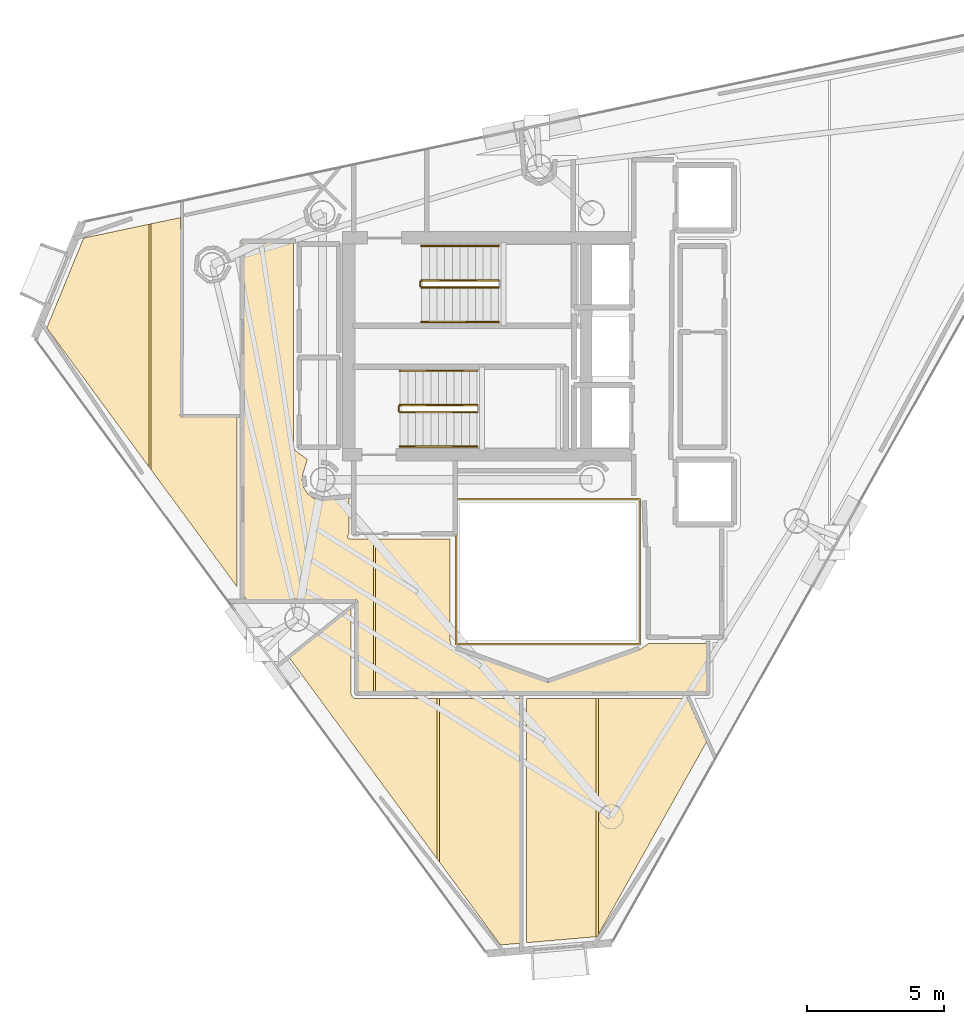
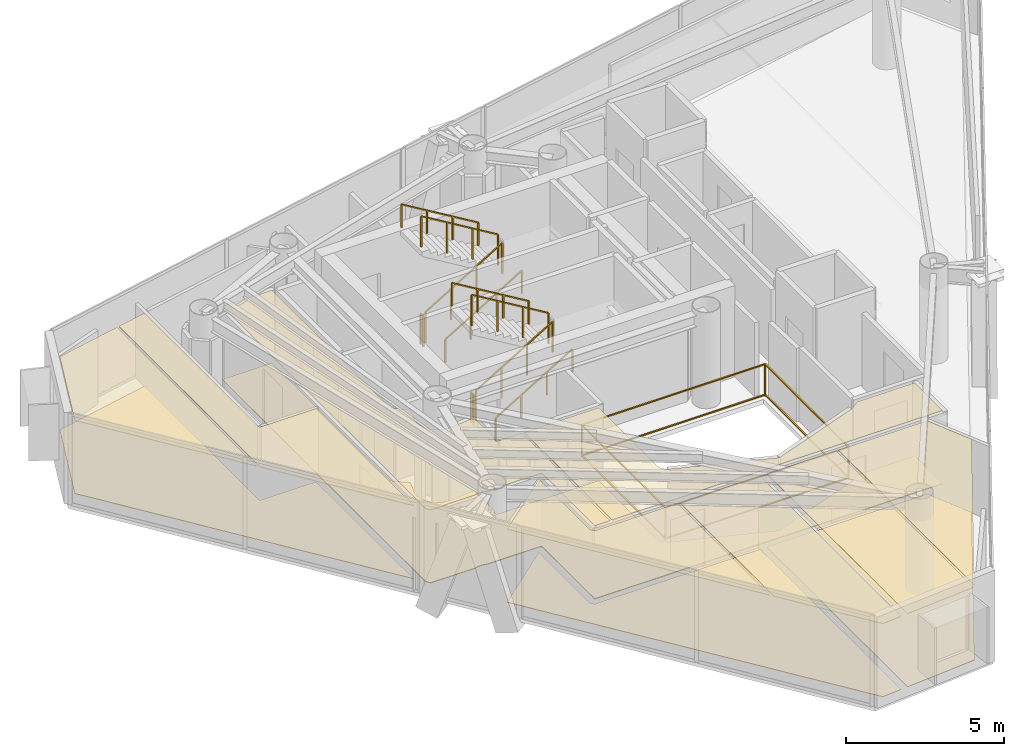
# One storey, part 20 of 21: 12 coverings, 11 railings.
"""IFC4 building model written with IfcOpenShell, lengths in metres."""

from ifc_helpers import new_model, si_unit, direction, frame, origin, origin_2d, place, context, subcontext, project, spatial, polyline, rectangle, outline, extrude, material, layer, layer_set, type_object, element, save


model = new_model("IFC4")

# Units and contexts
model_context = context("Model", 3, precision=1e-05, world=origin(), true_north=direction((0.0, 1.0)))
body_context = subcontext(model_context, "Body", "Model", "MODEL_VIEW")
ifc_project = project(units=[si_unit("LENGTHUNIT", "METRE"), si_unit("AREAUNIT", "SQUARE_METRE"), si_unit("VOLUMEUNIT", "CUBIC_METRE"), si_unit("PLANEANGLEUNIT", "RADIAN"), si_unit("MASSUNIT", "GRAM", prefix="KILO")], contexts=[model_context])

# Site, building, storey
site_placement = place(None, origin())
site = spatial("IfcSite", under=ifc_project, at=site_placement, CompositionType="ELEMENT")
building_placement = place(site_placement, origin())
building = spatial("IfcBuilding", under=site, at=building_placement, Name="Qianvela Tower", CompositionType="ELEMENT")
storey_placement = place(building_placement, frame((0.0, 0.0, 302.800048828125)))
storey = spatial("IfcBuildingStorey", under=building, at=storey_placement, Name="L78", CompositionType="ELEMENT", Elevation=302.800048828125)

# Coverings
ifc_material_1 = material(Name="Perforated Mineral Acoustic Ceiling Tile")
ifc_layer_1 = layer(ifc_material_1, 0.02490234375)
ifc_layer_set_1 = layer_set([ifc_layer_1], Name="Perforated Mineral Acoustic Ceiling Tile")
covering_type_1 = type_object("IfcCoveringType", Name="COV-CEIL-ACOUSTIC-25", PredefinedType="CEILING", material=ifc_layer_set_1)
covering_1_placement = place(storey_placement, frame((0.0, 0.0, 2.81494140625)))
element("IfcCovering", 1, at=covering_1_placement, inside=storey, type_object=covering_type_1, Name="L78 Acoustic Ceiling Bay 1 L78 Floor Corridor", PredefinedType="CEILING", context=body_context, shape_type="SweptSolid", body=[
    extrude(outline(polyline([(27.5400390625, 32.469970703125), (27.5400390625, 25.04638671875), (27.540283203125, 25.038818359375), (27.54150390625, 25.03125), (27.543212890625, 25.023681640625), (27.545654296875, 25.0166015625), (27.548828125, 25.009765625), (27.552734375, 25.003173828125), (27.61328125, 24.90869140625), (27.61767578125, 24.90283203125), (27.622314453125, 24.8974609375), (27.62744140625, 24.892333984375), (27.633056640625, 24.8876953125), (28.042236328125, 24.584228515625), (27.8662109375, 24.00390625), (27.864501953125, 23.996337890625), (27.86328125, 23.988525390625), (27.850341796875, 23.85791015625), (27.85009765625, 23.85009765625), (27.850341796875, 23.84228515625), (27.8515625, 23.83447265625), (27.902587890625, 23.577880859375), (27.904296875, 23.5703125), (27.906982421875, 23.56298828125), (27.910400390625, 23.555908203125), (27.91455078125, 23.54931640625), (28.059814453125, 23.331787109375), (28.064453125, 23.325439453125), (28.069580078125, 23.319580078125), (28.075439453125, 23.314453125), (28.081787109375, 23.309814453125), (28.29931640625, 23.16455078125), (28.305908203125, 23.160400390625), (28.31298828125, 23.156982421875), (28.3203125, 23.154296875), (28.327880859375, 23.152587890625), (28.58447265625, 23.1015625), (28.59228515625, 23.100341796875), (28.60009765625, 23.10009765625), (28.60791015625, 23.100341796875), (29.55810546875, 23.194091796875), (29.55810546875, 21.877685546875), (29.52001953125, 21.82958984375), (29.515380859375, 21.822998046875), (29.51171875, 21.81640625), (29.508544921875, 21.809326171875), (29.506103515625, 21.802001953125), (29.504150390625, 21.794189453125), (29.503173828125, 21.78662109375), (29.5029296875, 21.77880859375), (29.50341796875, 21.77099609375), (29.504638671875, 21.763427734375), (29.506591796875, 21.755859375), (29.50927734375, 21.74853515625), (29.5126953125, 21.74169921875), (29.516845703125, 21.735107421875), (29.521484375, 21.728759765625), (29.52685546875, 21.722900390625), (29.53271484375, 21.7177734375), (29.538818359375, 21.713134765625), (29.54541015625, 21.709228515625), (29.552490234375, 21.7060546875), (29.559814453125, 21.703369140625), (29.5673828125, 21.701416015625), (29.5751953125, 21.700439453125), (29.5830078125, 21.699951171875), (30.44384765625, 21.699951171875), (30.44384765625, 16.1298828125), (29.8798828125, 16.1298828125), (29.8798828125, 19.39990234375), (29.879638671875, 19.40771484375), (29.87841796875, 19.41552734375), (29.876708984375, 19.423095703125), (29.873779296875, 19.4306640625), (29.87060546875, 19.437744140625), (29.866455078125, 19.4443359375), (29.86181640625, 19.45068359375), (29.856689453125, 19.45654296875), (29.850830078125, 19.4619140625), (29.844482421875, 19.466552734375), (29.837646484375, 19.470703125), (29.83056640625, 19.473876953125), (29.8232421875, 19.4765625), (29.815673828125, 19.478515625), (29.807861328125, 19.4794921875), (29.800048828125, 19.47998046875), (27.910888671875, 19.47998046875), (27.684814453125, 19.522705078125), (27.677490234375, 19.523681640625), (27.669921875, 19.52392578125), (27.66259765625, 19.523681640625), (27.6552734375, 19.522705078125), (27.42919921875, 19.47998046875), (25.83740234375, 19.47998046875), (25.72998046875, 19.6259765625), (25.72998046875, 32.469970703125), (27.5400390625, 32.469970703125)])), origin(), (0.0, 0.0, 1.0), 0.02490234375),
])
covering_2_placement = place(storey_placement, frame((0.0, 0.0, 2.81494140625)))
element("IfcCovering", 2, at=covering_2_placement, inside=storey, type_object=covering_type_1, Name="L78 Acoustic Ceiling Bay 2 L78 Floor Corridor", PredefinedType="CEILING", context=body_context, shape_type="SweptSolid", body=[
    extrude(outline(polyline([(33.239990234375, 21.699951171875), (33.239990234375, 18.0), (33.240478515625, 17.990234375), (33.242431640625, 17.980712890625), (33.275390625, 17.8486328125), (33.277587890625, 17.841796875), (33.2802734375, 17.8349609375), (33.283447265625, 17.82861328125), (33.287353515625, 17.822509765625), (33.29150390625, 17.81689453125), (33.29638671875, 17.811279296875), (33.411376953125, 17.696533203125), (33.41796875, 17.690673828125), (33.42529296875, 17.685546875), (33.432861328125, 17.68115234375), (33.44091796875, 17.677734375), (36.77294921875, 16.482666015625), (36.780517578125, 16.48046875), (36.7880859375, 16.47900390625), (36.7958984375, 16.47802734375), (36.803955078125, 16.47802734375), (36.811767578125, 16.47900390625), (36.8193359375, 16.48046875), (36.826904296875, 16.482666015625), (40.134033203125, 17.666015625), (40.140869140625, 17.668701171875), (40.1474609375, 17.672119140625), (40.153564453125, 17.676025390625), (40.458740234375, 17.89306640625), (42.570068359375, 17.899658203125), (42.570068359375, 16.1298828125), (30.523681640625, 16.1298828125), (30.523681640625, 21.699951171875), (33.239990234375, 21.699951171875)])), origin(), (0.0, 0.0, 1.0), 0.02490234375),
])
covering_3_placement = place(storey_placement, frame((0.0, 0.0, 2.81494140625)))
element("IfcCovering", 3, at=covering_3_placement, inside=storey, type_object=covering_type_1, Name="L78 Acoustic Ceiling Bay 1 Debate Lecture Classroom L78-01", PredefinedType="CEILING", context=body_context, shape_type="SweptSolid", body=[
    extrude(outline(polyline([(18.567626953125, 29.369140625), (19.908203125, 32.638916015625), (22.27978515625, 33.140380859375), (22.27978515625, 24.3193359375), (18.567626953125, 29.369140625)])), origin(), (0.0, 0.0, 1.0), 0.02490234375),
])
covering_4_placement = place(storey_placement, frame((0.0, 0.0, 2.81494140625)))
element("IfcCovering", 4, at=covering_4_placement, inside=storey, type_object=covering_type_1, Name="L78 Acoustic Ceiling Bay 2 Debate Lecture Classroom L78-01", PredefinedType="CEILING", context=body_context, shape_type="SweptSolid", body=[
    extrude(outline(polyline([(23.419189453125, 26.2197265625), (23.41748046875, 26.2119140625), (23.4169921875, 26.20361328125), (23.4169921875, 26.19580078125), (23.417724609375, 26.187744140625), (23.41943359375, 26.1796875), (23.422119140625, 26.172119140625), (23.42529296875, 26.164794921875), (23.42919921875, 26.15771484375), (23.433837890625, 26.151123046875), (23.439208984375, 26.14501953125), (23.44482421875, 26.139404296875), (23.451416015625, 26.134521484375), (23.458251953125, 26.13037109375), (23.46533203125, 26.126708984375), (23.472900390625, 26.1240234375), (23.480712890625, 26.1220703125), (23.48876953125, 26.120849609375), (23.496826171875, 26.120361328125), (25.489990234375, 26.120361328125), (25.489990234375, 19.952392578125), (22.35986328125, 24.21044921875), (22.35986328125, 33.1572265625), (23.43408203125, 33.384521484375), (23.437744140625, 26.294189453125), (23.419189453125, 26.2197265625)])), origin(), (0.0, 0.0, 1.0), 0.02490234375),
])
covering_5_placement = place(storey_placement, frame((0.0, 0.0, 2.81494140625)))
element("IfcCovering", 5, at=covering_5_placement, inside=storey, type_object=covering_type_1, Name="L78 Acoustic Ceiling Bay 1 Graduate Seminar Classroom L78-02", PredefinedType="CEILING", context=body_context, shape_type="SweptSolid", body=[
    extrude(outline(polyline([(29.639892578125, 19.239990234375), (29.639892578125, 16.050048828125), (29.640380859375, 16.042236328125), (29.6416015625, 16.034423828125), (29.643310546875, 16.02685546875), (29.64599609375, 16.019287109375), (29.6494140625, 16.01220703125), (29.653564453125, 16.005615234375), (29.702880859375, 15.931640625), (29.70751953125, 15.92529296875), (29.712890625, 15.91943359375), (29.718505859375, 15.914306640625), (29.724853515625, 15.90966796875), (29.731689453125, 15.905517578125), (29.73876953125, 15.902099609375), (29.74609375, 15.8994140625), (29.753662109375, 15.897705078125), (29.761474609375, 15.896484375), (29.769287109375, 15.89599609375), (32.763671875, 15.89453125), (32.763671875, 10.057861328125), (27.394775390625, 17.361328125), (29.633544921875, 19.239990234375), (29.639892578125, 19.239990234375)])), origin(), (0.0, 0.0, 1.0), 0.02490234375),
])
covering_6_placement = place(storey_placement, frame((0.0, 0.0, 2.81494140625)))
element("IfcCovering", 6, at=covering_6_placement, inside=storey, type_object=covering_type_1, Name="L78 Acoustic Ceiling Bay 2 Graduate Seminar Classroom L78-02", PredefinedType="CEILING", context=body_context, shape_type="SweptSolid", body=[
    extrude(outline(polyline([(35.7724609375, 15.89306640625), (35.7724609375, 6.985595703125), (35.06689453125, 6.9248046875), (32.843505859375, 9.948974609375), (32.843505859375, 15.89453125), (35.7724609375, 15.89306640625)])), origin(), (0.0, 0.0, 1.0), 0.02490234375),
])
covering_7_placement = place(storey_placement, frame((0.0, 0.0, 2.81494140625)))
element("IfcCovering", 7, at=covering_7_placement, inside=storey, type_object=covering_type_1, Name="L78 Acoustic Ceiling Bay 1 Tutorial Breakout Seminar L78-03", PredefinedType="CEILING", context=body_context, shape_type="SweptSolid", body=[
    extrude(outline(polyline([(36.016357421875, 7.006591796875), (36.016357421875, 15.89306640625), (38.5478515625, 15.8916015625), (38.5478515625, 7.22509765625), (36.016357421875, 7.006591796875)])), origin(), (0.0, 0.0, 1.0), 0.02490234375),
])
covering_8_placement = place(storey_placement, frame((0.0, 0.0, 2.81494140625)))
element("IfcCovering", 8, at=covering_8_placement, inside=storey, type_object=covering_type_1, Name="L78 Acoustic Ceiling Bay 2 Tutorial Breakout Seminar L78-03", PredefinedType="CEILING", context=body_context, shape_type="SweptSolid", body=[
    extrude(outline(polyline([(38.627685546875, 7.300048828125), (38.627685546875, 15.8916015625), (41.86767578125, 15.889892578125), (42.56884765625, 14.315185546875), (38.627685546875, 7.300048828125)])), origin(), (0.0, 0.0, 1.0), 0.02490234375),
])
ifc_material_2 = material(Name="Engineered Acoustic Oak Timber Flooring", Category="wood")
ifc_layer_2 = layer(ifc_material_2, 0.02001953125)
ifc_layer_set_2 = layer_set([ifc_layer_2], Name="Engineered Acoustic Oak Timber Flooring")
covering_type_2 = type_object("IfcCoveringType", Name="COV-FLOOR-OAK-20", PredefinedType="FLOORING", material=ifc_layer_set_2)
covering_9_placement = place(storey_placement, origin())
element("IfcCovering", 9, at=covering_9_placement, inside=storey, type_object=covering_type_2, Name="L78 Finish Flooring Debate Lecture Classroom L78-01", PredefinedType="FLOORING", context=body_context, shape_type="SweptSolid", body=[
    extrude(outline(polyline([(23.437744140625, 26.294189453125), (23.419189453125, 26.2197265625), (23.41748046875, 26.2119140625), (23.4169921875, 26.20361328125), (23.4169921875, 26.19580078125), (23.417724609375, 26.187744140625), (23.41943359375, 26.1796875), (23.422119140625, 26.172119140625), (23.42529296875, 26.164794921875), (23.42919921875, 26.15771484375), (23.433837890625, 26.151123046875), (23.439208984375, 26.14501953125), (23.44482421875, 26.139404296875), (23.451416015625, 26.134521484375), (23.458251953125, 26.13037109375), (23.46533203125, 26.126708984375), (23.472900390625, 26.1240234375), (23.480712890625, 26.1220703125), (23.48876953125, 26.120849609375), (23.496826171875, 26.120361328125), (25.489990234375, 26.120361328125), (25.489990234375, 19.952392578125), (18.567626953125, 29.369140625), (19.908203125, 32.638916015625), (23.43408203125, 33.384521484375), (23.437744140625, 26.294189453125)])), origin(), (0.0, 0.0, 1.0), 0.02001953125),
])
covering_10_placement = place(storey_placement, origin())
element("IfcCovering", 10, at=covering_10_placement, inside=storey, type_object=covering_type_2, Name="L78 Finish Flooring Graduate Seminar Classroom L78-02", PredefinedType="FLOORING", context=body_context, shape_type="SweptSolid", body=[
    extrude(outline(polyline([(29.633544921875, 19.239990234375), (29.639892578125, 19.239990234375), (29.639892578125, 16.050048828125), (29.640380859375, 16.042236328125), (29.6416015625, 16.034423828125), (29.643310546875, 16.02685546875), (29.64599609375, 16.019287109375), (29.6494140625, 16.01220703125), (29.653564453125, 16.005615234375), (29.702880859375, 15.931640625), (29.70751953125, 15.92529296875), (29.712890625, 15.91943359375), (29.718505859375, 15.914306640625), (29.724853515625, 15.90966796875), (29.731689453125, 15.905517578125), (29.73876953125, 15.902099609375), (29.74609375, 15.8994140625), (29.753662109375, 15.897705078125), (29.761474609375, 15.896484375), (29.769287109375, 15.89599609375), (35.7724609375, 15.89306640625), (35.7724609375, 6.985595703125), (35.06689453125, 6.9248046875), (27.394775390625, 17.361328125), (29.633544921875, 19.239990234375)])), origin(), (0.0, 0.0, 1.0), 0.02001953125),
])
covering_11_placement = place(storey_placement, origin())
element("IfcCovering", 11, at=covering_11_placement, inside=storey, type_object=covering_type_2, Name="L78 Finish Flooring Tutorial Breakout Seminar L78-03", PredefinedType="FLOORING", context=body_context, shape_type="SweptSolid", body=[
    extrude(outline(polyline([(42.56884765625, 14.315185546875), (38.587646484375, 7.228515625), (36.016357421875, 7.006591796875), (36.016357421875, 15.89306640625), (41.86767578125, 15.889892578125), (42.56884765625, 14.315185546875)])), origin(), (0.0, 0.0, 1.0), 0.02001953125),
])
ifc_material_3 = material(Name="Honed Stone Terrazzo Flooring", Category="masonry")
ifc_layer_3 = layer(ifc_material_3, 0.030029296875)
ifc_layer_set_3 = layer_set([ifc_layer_3], Name="Honed Stone Terrazzo Flooring")
covering_type_3 = type_object("IfcCoveringType", Name="COV-FLOOR-TERRAZZO-30", PredefinedType="FLOORING", material=ifc_layer_set_3)
covering_12_placement = place(storey_placement, origin())
element("IfcCovering", 12, at=covering_12_placement, inside=storey, type_object=covering_type_3, Name="L78 Finish Flooring L78 Floor Corridor", PredefinedType="FLOORING", context=body_context, shape_type="SweptSolid", body=[
    extrude(outline(polyline([(25.72998046875, 32.469970703125), (27.5400390625, 32.469970703125), (27.5400390625, 25.04638671875), (27.540283203125, 25.038818359375), (27.54150390625, 25.03125), (27.543212890625, 25.023681640625), (27.545654296875, 25.0166015625), (27.548828125, 25.009765625), (27.552734375, 25.003173828125), (27.61328125, 24.90869140625), (27.61767578125, 24.90283203125), (27.622314453125, 24.8974609375), (27.62744140625, 24.892333984375), (27.633056640625, 24.8876953125), (28.042236328125, 24.584228515625), (27.8662109375, 24.00390625), (27.864501953125, 23.996337890625), (27.86328125, 23.988525390625), (27.850341796875, 23.85791015625), (27.85009765625, 23.85009765625), (27.850341796875, 23.84228515625), (27.8515625, 23.83447265625), (27.902587890625, 23.577880859375), (27.904296875, 23.5703125), (27.906982421875, 23.56298828125), (27.910400390625, 23.555908203125), (27.91455078125, 23.54931640625), (28.059814453125, 23.331787109375), (28.064453125, 23.325439453125), (28.069580078125, 23.319580078125), (28.075439453125, 23.314453125), (28.081787109375, 23.309814453125), (28.29931640625, 23.16455078125), (28.305908203125, 23.160400390625), (28.31298828125, 23.156982421875), (28.3203125, 23.154296875), (28.327880859375, 23.152587890625), (28.58447265625, 23.1015625), (28.59228515625, 23.100341796875), (28.60009765625, 23.10009765625), (28.60791015625, 23.100341796875), (29.55810546875, 23.194091796875), (29.55810546875, 21.877685546875), (29.52001953125, 21.82958984375), (29.515380859375, 21.822998046875), (29.51171875, 21.81640625), (29.508544921875, 21.809326171875), (29.506103515625, 21.802001953125), (29.504150390625, 21.794189453125), (29.503173828125, 21.78662109375), (29.5029296875, 21.77880859375), (29.50341796875, 21.77099609375), (29.504638671875, 21.763427734375), (29.506591796875, 21.755859375), (29.50927734375, 21.74853515625), (29.5126953125, 21.74169921875), (29.516845703125, 21.735107421875), (29.521484375, 21.728759765625), (29.52685546875, 21.722900390625), (29.53271484375, 21.7177734375), (29.538818359375, 21.713134765625), (29.54541015625, 21.709228515625), (29.552490234375, 21.7060546875), (29.559814453125, 21.703369140625), (29.5673828125, 21.701416015625), (29.5751953125, 21.700439453125), (29.5830078125, 21.699951171875), (33.239990234375, 21.699951171875), (33.239990234375, 18.0), (33.240478515625, 17.990234375), (33.242431640625, 17.980712890625), (33.275390625, 17.8486328125), (33.277587890625, 17.841796875), (33.2802734375, 17.8349609375), (33.283447265625, 17.82861328125), (33.287353515625, 17.822509765625), (33.29150390625, 17.81689453125), (33.29638671875, 17.811279296875), (33.411376953125, 17.696533203125), (33.41796875, 17.690673828125), (33.42529296875, 17.685546875), (33.432861328125, 17.68115234375), (33.44091796875, 17.677734375), (36.77294921875, 16.482666015625), (36.780517578125, 16.48046875), (36.7880859375, 16.47900390625), (36.7958984375, 16.47802734375), (36.803955078125, 16.47802734375), (36.811767578125, 16.47900390625), (36.8193359375, 16.48046875), (36.826904296875, 16.482666015625), (40.134033203125, 17.666015625), (40.140869140625, 17.668701171875), (40.1474609375, 17.672119140625), (40.153564453125, 17.676025390625), (40.458740234375, 17.89306640625), (42.570068359375, 17.899658203125), (42.570068359375, 16.1298828125), (29.8798828125, 16.1298828125), (29.8798828125, 19.39990234375), (29.879638671875, 19.40771484375), (29.87841796875, 19.41552734375), (29.876708984375, 19.423095703125), (29.873779296875, 19.4306640625), (29.87060546875, 19.437744140625), (29.866455078125, 19.4443359375), (29.86181640625, 19.45068359375), (29.856689453125, 19.45654296875), (29.850830078125, 19.4619140625), (29.844482421875, 19.466552734375), (29.837646484375, 19.470703125), (29.83056640625, 19.473876953125), (29.8232421875, 19.4765625), (29.815673828125, 19.478515625), (29.807861328125, 19.4794921875), (29.800048828125, 19.47998046875), (27.910888671875, 19.47998046875), (27.684814453125, 19.522705078125), (27.677490234375, 19.523681640625), (27.669921875, 19.52392578125), (27.66259765625, 19.523681640625), (27.6552734375, 19.522705078125), (27.42919921875, 19.47998046875), (25.83740234375, 19.47998046875), (25.72998046875, 19.6259765625), (25.72998046875, 32.469970703125)])), origin(), (0.0, 0.0, 1.0), 0.030029296875),
])

# Railings
ifc_material_4 = material(Name="Laminated Safety Glass and Stainless Steel 316", Category="steel")
railing_type_1 = type_object("IfcRailingType", Name="RL-ATRIUM-GUARD-1250", PredefinedType="GUARDRAIL", material=ifc_material_4)
railing_1_placement = place(storey_placement, frame((33.4599609375, 17.860107421875, 0.0)))
element("IfcRailing", 13, at=railing_1_placement, inside=storey, type_object=railing_type_1, Name="L78 Atrium Edge Guardrail 1", PredefinedType="GUARDRAIL", context=body_context, shape_type="SweptSolid", body=[
    extrude(rectangle(XDim=0.050048828125, YDim=0.0400390625, at=origin_2d()), frame((0.0, 0.0, 1.22998046875), z_axis=(0.0, 1.0, 0.0), x_axis=(-1.0, 0.0, 0.0)), (0.0, 0.0, 1.0), 5.27978515625),
    extrude(rectangle(XDim=0.050048828125, YDim=0.0400390625, at=origin_2d()), frame((0.0, 0.0, 0.050048828125), z_axis=(0.0, 1.0, 0.0), x_axis=(-1.0, 0.0, 0.0)), (0.0, 0.0, 1.0), 5.27978515625),
    extrude(rectangle(XDim=0.050048828125, YDim=0.0400390625, at=origin_2d()), frame((0.0, 5.27978515625, 1.22998046875), z_axis=(1.0, 0.0, 0.0), x_axis=(0.0, 1.0, 0.0)), (0.0, 0.0, 1.0), 6.679931640625),
    extrude(rectangle(XDim=0.050048828125, YDim=0.0400390625, at=origin_2d()), frame((0.0, 5.27978515625, 0.050048828125), z_axis=(1.0, 0.0, 0.0), x_axis=(0.0, 1.0, 0.0)), (0.0, 0.0, 1.0), 6.679931640625),
    extrude(rectangle(XDim=0.050048828125, YDim=0.0400390625, at=origin_2d()), frame((6.679931640625, 5.27978515625, 1.22998046875), z_axis=(0.0, -1.0, 0.0), x_axis=(1.0, 0.0, 0.0)), (0.0, 0.0, 1.0), 5.27978515625),
    extrude(rectangle(XDim=0.050048828125, YDim=0.0400390625, at=origin_2d()), frame((6.679931640625, 5.27978515625, 0.050048828125), z_axis=(0.0, -1.0, 0.0), x_axis=(1.0, 0.0, 0.0)), (0.0, 0.0, 1.0), 5.27978515625),
    extrude(rectangle(XDim=0.050048828125, YDim=0.0400390625, at=origin_2d()), frame((6.679931640625, 0.0, 1.22998046875), z_axis=(-1.0, 0.0, 0.0), x_axis=(0.0, -1.0, 0.0)), (0.0, 0.0, 1.0), 6.679931640625),
    extrude(rectangle(XDim=0.050048828125, YDim=0.0400390625, at=origin_2d()), frame((6.679931640625, 0.0, 0.050048828125), z_axis=(-1.0, 0.0, 0.0), x_axis=(0.0, -1.0, 0.0)), (0.0, 0.0, 1.0), 6.679931640625),
    extrude(rectangle(XDim=0.050048828125, YDim=0.050048828125, at=origin_2d()), origin(), (0.0, 0.0, 1.0), 1.2099609375),
    extrude(rectangle(XDim=0.050048828125, YDim=0.050048828125, at=origin_2d()), frame((0.0, 5.27978515625, 0.0)), (0.0, 0.0, 1.0), 1.2099609375),
    extrude(rectangle(XDim=0.050048828125, YDim=0.050048828125, at=origin_2d()), frame((6.679931640625, 5.27978515625, 0.0)), (0.0, 0.0, 1.0), 1.2099609375),
    extrude(rectangle(XDim=0.050048828125, YDim=0.050048828125, at=origin_2d()), frame((6.679931640625, 0.0, 0.0)), (0.0, 0.0, 1.0), 1.2099609375),
])
ifc_material_5 = material(Name="Painted Tubular Steel Q355B", Category="steel")
railing_type_2 = type_object("IfcRailingType", Name="RL-STAIR-GUARD-1200", PredefinedType="GUARDRAIL", material=ifc_material_5)
railing_2_placement = place(storey_placement, frame((32.199951171875, 30.840087890625, 0.168212890625)))
element("IfcRailing", 14, at=railing_2_placement, inside=storey, type_object=railing_type_2, Name="L78 ST-1 stair guard 1", PredefinedType="GUARDRAIL", context=body_context, shape_type="SweptSolid", body=[
    extrude(rectangle(XDim=0.050048828125, YDim=0.0400390625, at=origin_2d()), frame((0.0, 0.0, 1.179931640625), z_axis=(0.857275202839, 0.0, 0.514858452973), x_axis=(0.0, 1.0, 0.0)), (0.0, 0.0, 1.0), 3.26611328125),
    extrude(rectangle(XDim=0.050048828125, YDim=0.050048828125, at=origin_2d()), origin(), (0.0, 0.0, 1.0), 1.159912109375),
    extrude(rectangle(XDim=0.050048828125, YDim=0.050048828125, at=origin_2d()), frame((0.933349609375, 0.0, 0.560546875)), (0.0, 0.0, 1.0), 1.159912109375),
    extrude(rectangle(XDim=0.050048828125, YDim=0.050048828125, at=origin_2d()), frame((1.86669921875, 0.0, 1.12109375)), (0.0, 0.0, 1.0), 1.159912109375),
    extrude(rectangle(XDim=0.050048828125, YDim=0.050048828125, at=origin_2d()), frame((2.800048828125, 0.0, 1.681640625)), (0.0, 0.0, 1.0), 1.159912109375),
])
railing_3_placement = place(storey_placement, frame((35.0, 31.10009765625, 2.01806640625)))
element("IfcRailing", 15, at=railing_3_placement, inside=storey, type_object=railing_type_2, Name="L78 ST-1 stair guard 3", PredefinedType="GUARDRAIL", context=body_context, shape_type="SweptSolid", body=[
    extrude(rectangle(XDim=0.050048828125, YDim=0.0400390625, at=origin_2d()), frame((0.0, 0.0, 1.179931640625), z_axis=(-0.857242210791, 0.0, 0.514913383045), x_axis=(0.0, -1.0, 0.0)), (0.0, 0.0, 1.0), 3.266357421875),
    extrude(rectangle(XDim=0.050048828125, YDim=0.050048828125, at=origin_2d()), origin(), (0.0, 0.0, 1.0), 1.159912109375),
    extrude(rectangle(XDim=0.050048828125, YDim=0.050048828125, at=origin_2d()), frame((-0.933349609375, 0.0, 0.560546875)), (0.0, 0.0, 1.0), 1.159912109375),
    extrude(rectangle(XDim=0.050048828125, YDim=0.050048828125, at=origin_2d()), frame((-1.86669921875, 0.0, 1.121337890625)), (0.0, 0.0, 1.0), 1.159912109375),
    extrude(rectangle(XDim=0.050048828125, YDim=0.050048828125, at=origin_2d()), frame((-2.800048828125, 0.0, 1.681884765625)), (0.0, 0.0, 1.0), 1.159912109375),
])
railing_4_placement = place(storey_placement, frame((32.14990234375, 30.889892578125, 0.0)))
element("IfcRailing", 16, at=railing_4_placement, inside=storey, type_object=railing_type_2, Name="L78 ST-1 stair guard 4", PredefinedType="GUARDRAIL", context=body_context, shape_type="SweptSolid", body=[
    extrude(rectangle(XDim=0.050048828125, YDim=0.0400390625, at=origin_2d()), frame((0.0, 0.0, 1.179931640625), z_axis=(0.0, 1.0, 0.0), x_axis=(-1.0, 0.0, 0.0)), (0.0, 0.0, 1.0), 0.16015625),
    extrude(rectangle(XDim=0.050048828125, YDim=0.050048828125, at=origin_2d()), origin(), (0.0, 0.0, 1.0), 1.159912109375),
    extrude(rectangle(XDim=0.050048828125, YDim=0.050048828125, at=origin_2d()), frame((0.0, 0.16015625, 0.0)), (0.0, 0.0, 1.0), 1.159912109375),
])
railing_5_placement = place(storey_placement, frame((31.419921875, 26.300048828125, 0.168212890625)))
element("IfcRailing", 17, at=railing_5_placement, inside=storey, type_object=railing_type_2, Name="L78 ST-2 stair guard 1", PredefinedType="GUARDRAIL", context=body_context, shape_type="SweptSolid", body=[
    extrude(rectangle(XDim=0.050048828125, YDim=0.0400390625, at=origin_2d()), frame((0.0, 0.0, 1.179931640625), z_axis=(0.857275202839, 0.0, 0.514858452973), x_axis=(0.0, 1.0, 0.0)), (0.0, 0.0, 1.0), 3.26611328125),
    extrude(rectangle(XDim=0.050048828125, YDim=0.050048828125, at=origin_2d()), origin(), (0.0, 0.0, 1.0), 1.159912109375),
    extrude(rectangle(XDim=0.050048828125, YDim=0.050048828125, at=origin_2d()), frame((0.933349609375, 0.0, 0.560546875)), (0.0, 0.0, 1.0), 1.159912109375),
    extrude(rectangle(XDim=0.050048828125, YDim=0.050048828125, at=origin_2d()), frame((1.86669921875, 0.0, 1.12109375)), (0.0, 0.0, 1.0), 1.159912109375),
    extrude(rectangle(XDim=0.050048828125, YDim=0.050048828125, at=origin_2d()), frame((2.800048828125, 0.0, 1.681640625)), (0.0, 0.0, 1.0), 1.159912109375),
])
railing_6_placement = place(storey_placement, frame((34.219970703125, 26.56005859375, 2.01806640625)))
element("IfcRailing", 18, at=railing_6_placement, inside=storey, type_object=railing_type_2, Name="L78 ST-2 stair guard 3", PredefinedType="GUARDRAIL", context=body_context, shape_type="SweptSolid", body=[
    extrude(rectangle(XDim=0.050048828125, YDim=0.0400390625, at=origin_2d()), frame((0.0, 0.0, 1.179931640625), z_axis=(-0.857242210791, 0.0, 0.514913383045), x_axis=(0.0, -1.0, 0.0)), (0.0, 0.0, 1.0), 3.266357421875),
    extrude(rectangle(XDim=0.050048828125, YDim=0.050048828125, at=origin_2d()), origin(), (0.0, 0.0, 1.0), 1.159912109375),
    extrude(rectangle(XDim=0.050048828125, YDim=0.050048828125, at=origin_2d()), frame((-0.933349609375, 0.0, 0.560546875)), (0.0, 0.0, 1.0), 1.159912109375),
    extrude(rectangle(XDim=0.050048828125, YDim=0.050048828125, at=origin_2d()), frame((-1.86669921875, 0.0, 1.121337890625)), (0.0, 0.0, 1.0), 1.159912109375),
    extrude(rectangle(XDim=0.050048828125, YDim=0.050048828125, at=origin_2d()), frame((-2.800048828125, 0.0, 1.681884765625)), (0.0, 0.0, 1.0), 1.159912109375),
])
railing_7_placement = place(storey_placement, frame((31.3701171875, 26.35009765625, 0.0)))
element("IfcRailing", 19, at=railing_7_placement, inside=storey, type_object=railing_type_2, Name="L78 ST-2 stair guard 4", PredefinedType="GUARDRAIL", context=body_context, shape_type="SweptSolid", body=[
    extrude(rectangle(XDim=0.050048828125, YDim=0.0400390625, at=origin_2d()), frame((0.0, 0.0, 1.179931640625), z_axis=(0.0, 1.0, 0.0), x_axis=(-1.0, 0.0, 0.0)), (0.0, 0.0, 1.0), 0.159912109375),
    extrude(rectangle(XDim=0.050048828125, YDim=0.050048828125, at=origin_2d()), origin(), (0.0, 0.0, 1.0), 1.159912109375),
    extrude(rectangle(XDim=0.050048828125, YDim=0.050048828125, at=origin_2d()), frame((0.0, 0.159912109375, 0.0)), (0.0, 0.0, 1.0), 1.159912109375),
])
ifc_material_6 = material(Name="Brushed Stainless Steel 304", Category="steel")
railing_type_3 = type_object("IfcRailingType", Name="RL-STAIR-HANDRAIL-900", PredefinedType="HANDRAIL", material=ifc_material_6)
railing_8_placement = place(storey_placement, frame((32.199951171875, 29.590087890625, 0.168212890625)))
element("IfcRailing", 20, at=railing_8_placement, inside=storey, type_object=railing_type_3, Name="L78 ST-1 stair handrail 1", PredefinedType="HANDRAIL", context=body_context, shape_type="SweptSolid", body=[
    extrude(rectangle(XDim=0.050048828125, YDim=0.0400390625, at=origin_2d()), frame((0.0, 0.0, 0.8798828125), z_axis=(0.857275202839, 0.0, 0.514858452973), x_axis=(0.0, 1.0, 0.0)), (0.0, 0.0, 1.0), 3.26611328125),
    extrude(rectangle(XDim=0.050048828125, YDim=0.050048828125, at=origin_2d()), origin(), (0.0, 0.0, 1.0), 0.85986328125),
    extrude(rectangle(XDim=0.050048828125, YDim=0.050048828125, at=origin_2d()), frame((0.933349609375, 0.0, 0.560546875)), (0.0, 0.0, 1.0), 0.85986328125),
    extrude(rectangle(XDim=0.050048828125, YDim=0.050048828125, at=origin_2d()), frame((1.86669921875, 0.0, 1.12109375)), (0.0, 0.0, 1.0), 0.85986328125),
    extrude(rectangle(XDim=0.050048828125, YDim=0.050048828125, at=origin_2d()), frame((2.800048828125, 0.0, 1.681640625)), (0.0, 0.0, 1.0), 0.85986328125),
])
railing_9_placement = place(storey_placement, frame((35.0, 32.35009765625, 2.01806640625)))
element("IfcRailing", 21, at=railing_9_placement, inside=storey, type_object=railing_type_3, Name="L78 ST-1 stair handrail 2", PredefinedType="HANDRAIL", context=body_context, shape_type="SweptSolid", body=[
    extrude(rectangle(XDim=0.050048828125, YDim=0.0400390625, at=origin_2d()), frame((0.0, 0.0, 0.8798828125), z_axis=(-0.857242210791, 0.0, 0.514913383045), x_axis=(0.0, -1.0, 0.0)), (0.0, 0.0, 1.0), 3.266357421875),
    extrude(rectangle(XDim=0.050048828125, YDim=0.050048828125, at=origin_2d()), origin(), (0.0, 0.0, 1.0), 0.85986328125),
    extrude(rectangle(XDim=0.050048828125, YDim=0.050048828125, at=origin_2d()), frame((-0.933349609375, 0.0, 0.560546875)), (0.0, 0.0, 1.0), 0.85986328125),
    extrude(rectangle(XDim=0.050048828125, YDim=0.050048828125, at=origin_2d()), frame((-1.86669921875, 0.0, 1.121337890625)), (0.0, 0.0, 1.0), 0.85986328125),
    extrude(rectangle(XDim=0.050048828125, YDim=0.050048828125, at=origin_2d()), frame((-2.800048828125, 0.0, 1.681884765625)), (0.0, 0.0, 1.0), 0.85986328125),
])
railing_10_placement = place(storey_placement, frame((31.419921875, 25.050048828125, 0.168212890625)))
element("IfcRailing", 22, at=railing_10_placement, inside=storey, type_object=railing_type_3, Name="L78 ST-2 stair handrail 1", PredefinedType="HANDRAIL", context=body_context, shape_type="SweptSolid", body=[
    extrude(rectangle(XDim=0.050048828125, YDim=0.0400390625, at=origin_2d()), frame((0.0, 0.0, 0.8798828125), z_axis=(0.857275202839, 0.0, 0.514858452973), x_axis=(0.0, 1.0, 0.0)), (0.0, 0.0, 1.0), 3.26611328125),
    extrude(rectangle(XDim=0.050048828125, YDim=0.050048828125, at=origin_2d()), origin(), (0.0, 0.0, 1.0), 0.85986328125),
    extrude(rectangle(XDim=0.050048828125, YDim=0.050048828125, at=origin_2d()), frame((0.933349609375, 0.0, 0.560546875)), (0.0, 0.0, 1.0), 0.85986328125),
    extrude(rectangle(XDim=0.050048828125, YDim=0.050048828125, at=origin_2d()), frame((1.86669921875, 0.0, 1.12109375)), (0.0, 0.0, 1.0), 0.85986328125),
    extrude(rectangle(XDim=0.050048828125, YDim=0.050048828125, at=origin_2d()), frame((2.800048828125, 0.0, 1.681640625)), (0.0, 0.0, 1.0), 0.85986328125),
])
railing_11_placement = place(storey_placement, frame((34.219970703125, 27.81005859375, 2.01806640625)))
element("IfcRailing", 23, at=railing_11_placement, inside=storey, type_object=railing_type_3, Name="L78 ST-2 stair handrail 2", PredefinedType="HANDRAIL", context=body_context, shape_type="SweptSolid", body=[
    extrude(rectangle(XDim=0.050048828125, YDim=0.0400390625, at=origin_2d()), frame((0.0, 0.0, 0.8798828125), z_axis=(-0.857242210791, 0.0, 0.514913383045), x_axis=(0.0, -1.0, 0.0)), (0.0, 0.0, 1.0), 3.266357421875),
    extrude(rectangle(XDim=0.050048828125, YDim=0.050048828125, at=origin_2d()), origin(), (0.0, 0.0, 1.0), 0.85986328125),
    extrude(rectangle(XDim=0.050048828125, YDim=0.050048828125, at=origin_2d()), frame((-0.933349609375, 0.0, 0.560546875)), (0.0, 0.0, 1.0), 0.85986328125),
    extrude(rectangle(XDim=0.050048828125, YDim=0.050048828125, at=origin_2d()), frame((-1.86669921875, 0.0, 1.121337890625)), (0.0, 0.0, 1.0), 0.85986328125),
    extrude(rectangle(XDim=0.050048828125, YDim=0.050048828125, at=origin_2d()), frame((-2.800048828125, 0.0, 1.681884765625)), (0.0, 0.0, 1.0), 0.85986328125),
])

save(model, "model.ifc")
